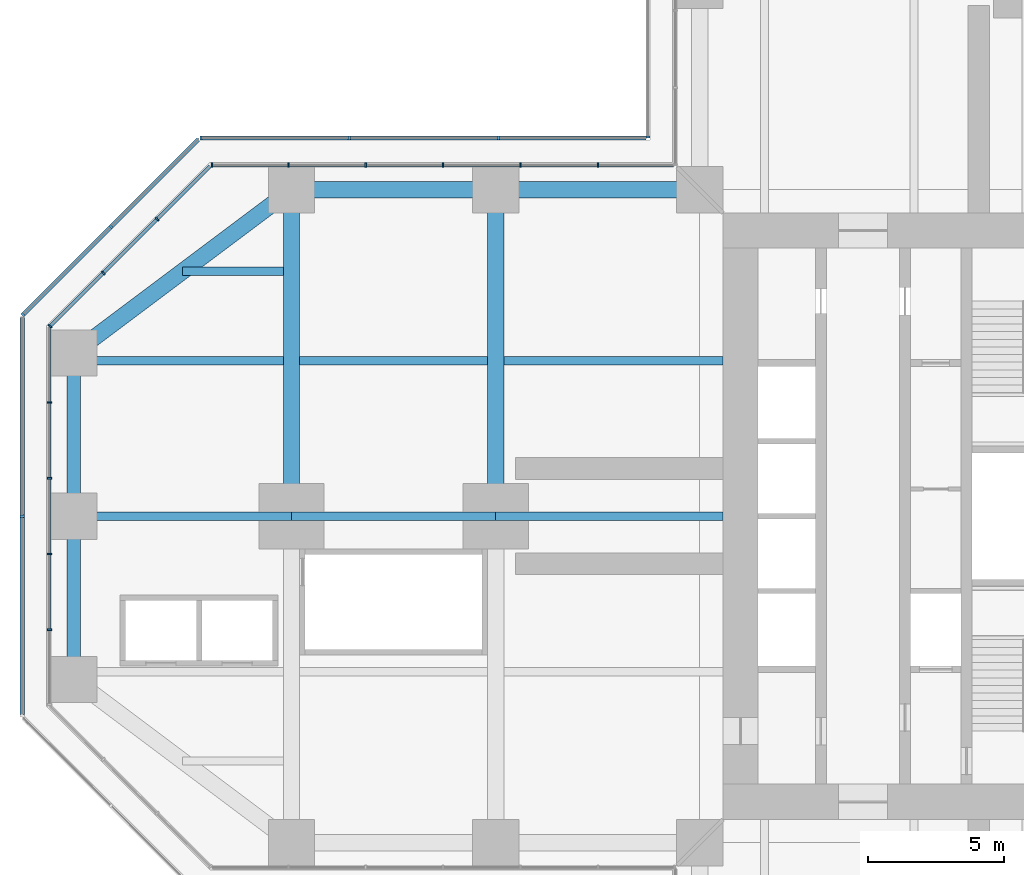
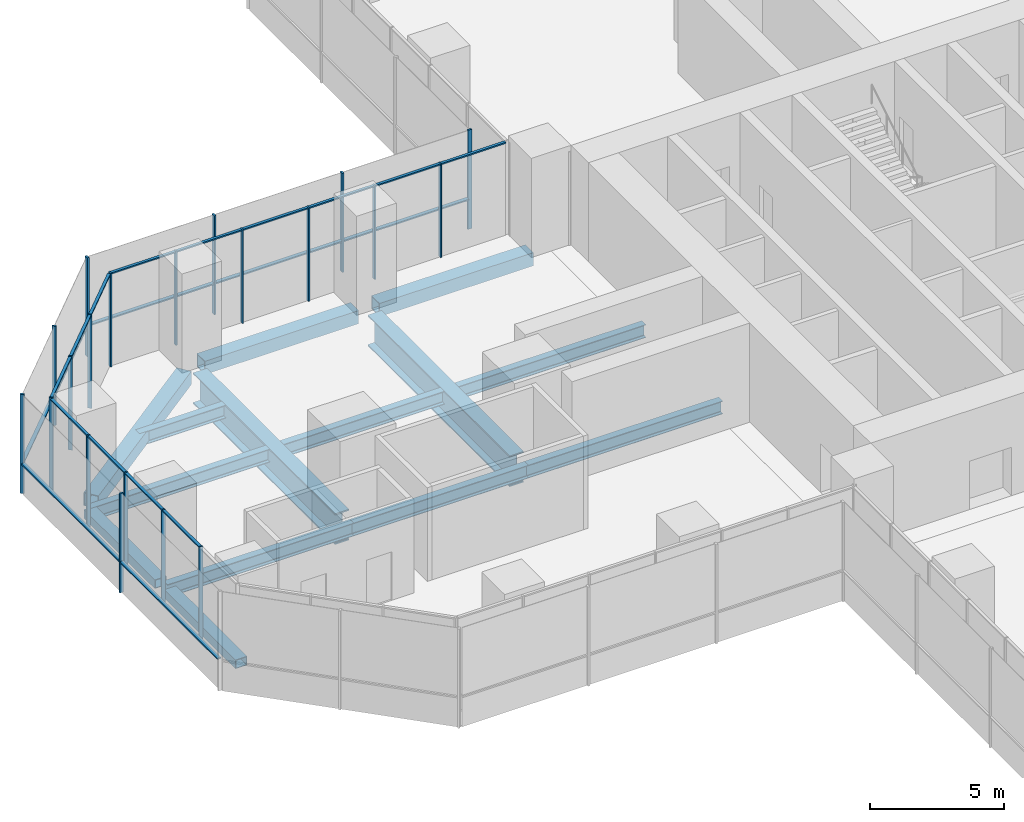
# One storey, part 7 of 21: 40 members, 14 beams, 7 elements without a shape of their own.
"""IFC4 building model written with IfcOpenShell, lengths in metres."""

from ifc_helpers import new_model, si_unit, direction, frame, origin, origin_2d, place, context, subcontext, project, spatial, rectangle, hollow_rectangle, i_section, extrude, material, material_profile, profile_set, type_object, element, aggregate, save


model = new_model("IFC4")

# Units and contexts
model_context = context("Model", 3, precision=1e-05, world=origin(), true_north=direction((0.0, 1.0)))
body_context = subcontext(model_context, "Body", "Model", "MODEL_VIEW")
ifc_project = project(units=[si_unit("LENGTHUNIT", "METRE"), si_unit("AREAUNIT", "SQUARE_METRE"), si_unit("VOLUMEUNIT", "CUBIC_METRE"), si_unit("PLANEANGLEUNIT", "RADIAN"), si_unit("MASSUNIT", "GRAM", prefix="KILO")], contexts=[model_context])

# Site, building, storey
site_placement = place(None, origin())
site = spatial("IfcSite", under=ifc_project, at=site_placement, CompositionType="ELEMENT")
building_placement = place(site_placement, origin())
building = spatial("IfcBuilding", under=site, at=building_placement, Name="Mizan Broadcast Tower", CompositionType="ELEMENT")
storey_placement = place(building_placement, frame((0.0, 0.0, 33.0)))
storey = spatial("IfcBuildingStorey", under=building, at=storey_placement, Name="L05", CompositionType="ELEMENT", Elevation=33.0)

# Beams
ifc_material_1 = material(Name="Steel S355", Category="steel")
ifc_material_profile_1 = material_profile(ifc_material_1, hollow_rectangle(XDim=0.5, YDim=0.39990234375, WallThickness=0.02490234375, at=origin_2d()), Name="BOX 400x500x25")
ifc_profile_set_1 = profile_set([ifc_material_profile_1], Name="Steel S355")
beam_type_1 = type_object("IfcBeamType", Name="EDGE BEAM BOX 400x500x25", PredefinedType="SPANDREL", material=ifc_profile_set_1)
for number, where, z_axis, x_axis, name in (
    (1, (-35.0, 5.639892578125, -0.449951171875), (0.0, -1.0, 0.0), (1.0, 0.0, 0.0), "Edge beam BOX 400x500x25 L05 west arm"),
    (2, (-35.0, -5.639892578125, -0.449951171875), (0.0, 1.0, 0.0), (-1.0, 0.0, 0.0), "Edge beam BOX 400x500x25 L05 west arm"),
):
    element("IfcBeam", number, at=place(storey_placement, frame(where, z_axis=z_axis, x_axis=x_axis)), inside=storey, type_object=beam_type_1, Name=name, PredefinedType="SPANDREL", context=body_context, shape_type="SweptSolid", body=[
        extrude(hollow_rectangle(XDim=0.5, YDim=0.39990234375, WallThickness=0.02490234375, at=origin_2d()), origin(), (0.0, 0.0, 1.0), 5.27978515625),
    ])
ifc_material_2 = material(Name="Steel S355", Category="steel")
ifc_material_profile_2 = material_profile(ifc_material_2, hollow_rectangle(XDim=0.60009765625, YDim=0.60009765625, WallThickness=0.030029296875, at=origin_2d()), Name="BOX 600x600x30")
ifc_profile_set_2 = profile_set([ifc_material_profile_2], Name="Steel S355")
beam_type_2 = type_object("IfcBeamType", Name="EDGE BEAM BOX 600x600x30", PredefinedType="SPANDREL", material=ifc_profile_set_2)
beam_1_placement = place(storey_placement, frame((-27.47998046875, 11.639892578125, -0.550048828125), z_axis=(-0.800013316712, -0.599982243973, 0.0), x_axis=(0.599982243973, -0.800013316712, 0.0)))
element("IfcBeam", 3, at=beam_1_placement, inside=storey, type_object=beam_type_2, Name="Edge beam BOX 600x600x30 L05 west arm", PredefinedType="SPANDREL", context=body_context, shape_type="SweptSolid", body=[
    extrude(hollow_rectangle(XDim=0.60009765625, YDim=0.60009765625, WallThickness=0.030029296875, at=origin_2d()), origin(), (0.0, 0.0, 1.0), 8.7998046875),
])
ifc_material_3 = material(Name="Steel S355", Category="steel")
ifc_material_profile_3 = material_profile(ifc_material_3, hollow_rectangle(XDim=0.60009765625, YDim=0.60009765625, WallThickness=0.0400390625, at=origin_2d()), Name="BOX 600x600x40")
ifc_profile_set_3 = profile_set([ifc_material_profile_3], Name="Steel S355")
beam_type_3 = type_object("IfcBeamType", Name="EDGE BEAM BOX 600x600x40", PredefinedType="SPANDREL", material=ifc_profile_set_3)
for number, where, z_axis, x_axis, name in (
    (4, (-12.449951171875, 12.0, -0.550048828125), (-1.0, 0.0, 0.0), (0.0, -1.0, 0.0), "Edge beam BOX 600x600x40 L05 west arm"),
    (5, (-19.949951171875, 12.0, -0.550048828125), (-1.0, 0.0, 0.0), (0.0, -1.0, 0.0), "Edge beam BOX 600x600x40 L05 west arm"),
):
    element("IfcBeam", number, at=place(storey_placement, frame(where, z_axis=z_axis, x_axis=x_axis)), inside=storey, type_object=beam_type_3, Name=name, PredefinedType="SPANDREL", context=body_context, shape_type="SweptSolid", body=[
        extrude(hollow_rectangle(XDim=0.60009765625, YDim=0.60009765625, WallThickness=0.0400390625, at=origin_2d()), origin(), (0.0, 0.0, 1.0), 6.60009765625),
    ])
ifc_material_4 = material(Name="Steel S460", Category="steel")
ifc_material_profile_4 = material_profile(ifc_material_4, i_section(OverallWidth=0.60009765625, OverallDepth=1.39990234375, WebThickness=0.02490234375, FlangeThickness=0.06005859375, at=origin_2d()), Name="WPG 1400x600")
ifc_profile_set_4 = profile_set([ifc_material_profile_4], Name="Steel S460")
beam_type_4 = type_object("IfcBeamType", Name="GIRDER WPG 1400x600", PredefinedType="BEAM", material=ifc_profile_set_4)
for number, where, z_axis, x_axis, name in (
    (6, (-19.5, 11.280029296875, -0.949951171875), (0.0, -1.0, 0.0), (1.0, 0.0, 0.0), "Girder WPG 1400x600 L05 west arm"),
    (7, (-27.0, 11.280029296875, -0.949951171875), (0.0, -1.0, 0.0), (1.0, 0.0, 0.0), "Girder WPG 1400x600 L05 west arm"),
):
    element("IfcBeam", number, at=place(storey_placement, frame(where, z_axis=z_axis, x_axis=x_axis)), inside=storey, type_object=beam_type_4, Name=name, PredefinedType="BEAM", context=body_context, shape_type="SweptSolid", body=[
        extrude(i_section(OverallWidth=0.60009765625, OverallDepth=1.39990234375, WebThickness=0.02490234375, FlangeThickness=0.06005859375, at=origin_2d()), origin(), (0.0, 0.0, 1.0), 10.56005859375),
    ])

# Curtain wall, members
ifc_material_5 = material(Name="Aluminium framed glazing", Category="aluminium")
curtain_wall_type_1 = type_object("IfcCurtainWallType", Name="PODIUM CURTAIN WALL", PredefinedType="USERDEFINED", material=ifc_material_5)
curtain_wall_1_placement = place(storey_placement, origin())
curtain_wall_1 = element("IfcCurtainWall", 8, at=curtain_wall_1_placement, inside=storey, type_object=curtain_wall_type_1, Name="Podium curtain wall L05 W side", ObjectType="PODIUM CURTAIN WALL", PredefinedType="USERDEFINED")
ifc_material_6 = material(Name="Aluminium, pale anodised", Category="aluminium")
ifc_material_profile_5 = material_profile(ifc_material_6, rectangle(XDim=0.159912109375, YDim=0.06005859375, at=origin_2d()), Name="MULLION 160x60")
ifc_profile_set_5 = profile_set([ifc_material_profile_5], Name="Aluminium, pale anodised")
member_type_1 = type_object("IfcMemberType", Name="INNER SKIN MULLION 60x160", PredefinedType="MULLION", material=ifc_profile_set_5)
member_1_placement = place(storey_placement, frame((-15.7431640625, 12.89990234375, 0.0), z_axis=(0.0, 0.0, 1.0), x_axis=(0.0, -1.0, 0.0)))
member_1 = element("IfcMember", 9, at=member_1_placement, type_object=member_type_1, Name="Podium curtain wall L05 W side mullion 2", PredefinedType="MULLION", context=body_context, shape_type="SweptSolid", body=[
    extrude(rectangle(XDim=0.159912109375, YDim=0.06005859375, at=origin_2d()), origin(), (0.0, 0.0, 1.0), 4.25),
])
member_2_placement = place(storey_placement, frame((-18.586181640625, 12.89990234375, 0.0), z_axis=(0.0, 0.0, 1.0), x_axis=(0.0, -1.0, 0.0)))
member_2 = element("IfcMember", 10, at=member_2_placement, type_object=member_type_1, Name="Podium curtain wall L05 W side mullion 3", PredefinedType="MULLION", context=body_context, shape_type="SweptSolid", body=[
    extrude(rectangle(XDim=0.159912109375, YDim=0.06005859375, at=origin_2d()), origin(), (0.0, 0.0, 1.0), 4.25),
])
member_3_placement = place(storey_placement, frame((-21.42919921875, 12.89990234375, 0.0), z_axis=(0.0, 0.0, 1.0), x_axis=(0.0, -1.0, 0.0)))
member_3 = element("IfcMember", 11, at=member_3_placement, type_object=member_type_1, Name="Podium curtain wall L05 W side mullion 4", PredefinedType="MULLION", context=body_context, shape_type="SweptSolid", body=[
    extrude(rectangle(XDim=0.159912109375, YDim=0.06005859375, at=origin_2d()), origin(), (0.0, 0.0, 1.0), 4.25),
])
member_4_placement = place(storey_placement, frame((-24.2724609375, 12.89990234375, 0.0), z_axis=(0.0, 0.0, 1.0), x_axis=(0.0, -1.0, 0.0)))
member_4 = element("IfcMember", 12, at=member_4_placement, type_object=member_type_1, Name="Podium curtain wall L05 W side mullion 5", PredefinedType="MULLION", context=body_context, shape_type="SweptSolid", body=[
    extrude(rectangle(XDim=0.159912109375, YDim=0.06005859375, at=origin_2d()), origin(), (0.0, 0.0, 1.0), 4.25),
])
member_5_placement = place(storey_placement, frame((-27.115478515625, 12.89990234375, 0.0), z_axis=(0.0, 0.0, 1.0), x_axis=(0.0, -1.0, 0.0)))
member_5 = element("IfcMember", 13, at=member_5_placement, type_object=member_type_1, Name="Podium curtain wall L05 W side mullion 6", PredefinedType="MULLION", context=body_context, shape_type="SweptSolid", body=[
    extrude(rectangle(XDim=0.159912109375, YDim=0.06005859375, at=origin_2d()), origin(), (0.0, 0.0, 1.0), 4.25),
])
member_6_placement = place(storey_placement, frame((-29.928466796875, 12.89990234375, 0.0), z_axis=(0.0, 0.0, 1.0), x_axis=(0.0, -1.0, 0.0)))
member_6 = element("IfcMember", 14, at=member_6_placement, type_object=member_type_1, Name="Podium curtain wall L05 W side mullion 7", PredefinedType="MULLION", context=body_context, shape_type="SweptSolid", body=[
    extrude(rectangle(XDim=0.159912109375, YDim=0.06005859375, at=origin_2d()), origin(), (0.0, 0.0, 1.0), 4.25),
])

curtain_wall_2_placement = place(storey_placement, origin())
curtain_wall_2 = element("IfcCurtainWall", 15, at=curtain_wall_2_placement, inside=storey, type_object=curtain_wall_type_1, Name="Podium curtain wall L05 W chamfer", ObjectType="PODIUM CURTAIN WALL", PredefinedType="USERDEFINED")
member_7_placement = place(storey_placement, frame((-31.93896484375, 10.91943359375, 0.0), z_axis=(0.0, 0.0, 1.0), x_axis=(0.707106781187, -0.707106781187, 0.0)))
member_7 = element("IfcMember", 16, at=member_7_placement, type_object=member_type_1, Name="Podium curtain wall L05 W chamfer mullion 2", PredefinedType="MULLION", context=body_context, shape_type="SweptSolid", body=[
    extrude(rectangle(XDim=0.159912109375, YDim=0.06005859375, at=origin_2d()), origin(), (0.0, 0.0, 1.0), 4.25),
])
member_8_placement = place(storey_placement, frame((-33.91943359375, 8.93896484375, 0.0), z_axis=(0.0, 0.0, 1.0), x_axis=(0.707106781187, -0.707106781187, 0.0)))
member_8 = element("IfcMember", 17, at=member_8_placement, type_object=member_type_1, Name="Podium curtain wall L05 W chamfer mullion 3", PredefinedType="MULLION", context=body_context, shape_type="SweptSolid", body=[
    extrude(rectangle(XDim=0.159912109375, YDim=0.06005859375, at=origin_2d()), origin(), (0.0, 0.0, 1.0), 4.25),
])
member_9_placement = place(storey_placement, frame((-35.87890625, 6.979736328125, 0.0), z_axis=(0.0, 0.0, 1.0), x_axis=(0.707106781187, -0.707106781187, 0.0)))
member_9 = element("IfcMember", 18, at=member_9_placement, type_object=member_type_1, Name="Podium curtain wall L05 W chamfer mullion 4", PredefinedType="MULLION", context=body_context, shape_type="SweptSolid", body=[
    extrude(rectangle(XDim=0.159912109375, YDim=0.06005859375, at=origin_2d()), origin(), (0.0, 0.0, 1.0), 4.25),
])

curtain_wall_3_placement = place(storey_placement, origin())
curtain_wall_3 = element("IfcCurtainWall", 19, at=curtain_wall_3_placement, inside=storey, type_object=curtain_wall_type_1, Name="Podium curtain wall L05 W end", ObjectType="PODIUM CURTAIN WALL", PredefinedType="USERDEFINED")
member_10_placement = place(storey_placement, frame((-35.89990234375, 4.175048828125, 0.0), z_axis=(0.0, 0.0, 1.0), x_axis=(1.0, 0.0, 0.0)))
member_10 = element("IfcMember", 20, at=member_10_placement, type_object=member_type_1, Name="Podium curtain wall L05 W end mullion 2", PredefinedType="MULLION", context=body_context, shape_type="SweptSolid", body=[
    extrude(rectangle(XDim=0.159912109375, YDim=0.06005859375, at=origin_2d()), origin(), (0.0, 0.0, 1.0), 4.25),
])
member_11_placement = place(storey_placement, frame((-35.89990234375, 1.3916015625, 0.0), z_axis=(0.0, 0.0, 1.0), x_axis=(1.0, 0.0, 0.0)))
member_11 = element("IfcMember", 21, at=member_11_placement, type_object=member_type_1, Name="Podium curtain wall L05 W end mullion 3", PredefinedType="MULLION", context=body_context, shape_type="SweptSolid", body=[
    extrude(rectangle(XDim=0.159912109375, YDim=0.06005859375, at=origin_2d()), origin(), (0.0, 0.0, 1.0), 4.25),
])
member_12_placement = place(storey_placement, frame((-35.89990234375, -1.3916015625, 0.0), z_axis=(0.0, 0.0, 1.0), x_axis=(1.0, 0.0, 0.0)))
member_12 = element("IfcMember", 22, at=member_12_placement, type_object=member_type_1, Name="Podium curtain wall L05 W end mullion 4", PredefinedType="MULLION", context=body_context, shape_type="SweptSolid", body=[
    extrude(rectangle(XDim=0.159912109375, YDim=0.06005859375, at=origin_2d()), origin(), (0.0, 0.0, 1.0), 4.25),
])
member_13_placement = place(storey_placement, frame((-35.89990234375, -4.175048828125, 0.0), z_axis=(0.0, 0.0, 1.0), x_axis=(1.0, 0.0, 0.0)))
member_13 = element("IfcMember", 23, at=member_13_placement, type_object=member_type_1, Name="Podium curtain wall L05 W end mullion 5", PredefinedType="MULLION", context=body_context, shape_type="SweptSolid", body=[
    extrude(rectangle(XDim=0.159912109375, YDim=0.06005859375, at=origin_2d()), origin(), (0.0, 0.0, 1.0), 4.25),
])

# Member
ifc_material_7 = material(Name="Aluminium, pale anodised", Category="aluminium")
ifc_material_profile_6 = material_profile(ifc_material_7, rectangle(XDim=0.1201171875, YDim=0.06005859375, at=origin_2d()), Name="TRANSOM 120x60")
ifc_profile_set_6 = profile_set([ifc_material_profile_6], Name="Aluminium, pale anodised")
member_type_2 = type_object("IfcMemberType", Name="INNER SKIN TRANSOM 60x120", PredefinedType="USERDEFINED", material=ifc_profile_set_6)
member_14_placement = place(storey_placement, frame((-12.9599609375, 12.89990234375, 4.219970703125), z_axis=(-1.0, 0.0, 0.0), x_axis=(0.0, -1.0, 0.0)))
member_14 = element("IfcMember", 24, at=member_14_placement, type_object=member_type_2, Name="Podium curtain wall L05 W side transom 1.1", ObjectType="TRANSOM", PredefinedType="USERDEFINED", context=body_context, shape_type="SweptSolid", body=[
    extrude(rectangle(XDim=0.1201171875, YDim=0.06005859375, at=origin_2d()), origin(), (0.0, 0.0, 1.0), 2.753173828125),
])

member_15_placement = place(storey_placement, frame((-15.773193359375, 12.89990234375, 4.219970703125), z_axis=(-1.0, 0.0, 0.0), x_axis=(0.0, -1.0, 0.0)))
member_15 = element("IfcMember", 25, at=member_15_placement, type_object=member_type_2, Name="Podium curtain wall L05 W side transom 2.1", ObjectType="TRANSOM", PredefinedType="USERDEFINED", context=body_context, shape_type="SweptSolid", body=[
    extrude(rectangle(XDim=0.1201171875, YDim=0.06005859375, at=origin_2d()), origin(), (0.0, 0.0, 1.0), 2.782958984375),
])

member_16_placement = place(storey_placement, frame((-18.6162109375, 12.89990234375, 4.219970703125), z_axis=(-1.0, 0.0, 0.0), x_axis=(0.0, -1.0, 0.0)))
member_16 = element("IfcMember", 26, at=member_16_placement, type_object=member_type_2, Name="Podium curtain wall L05 W side transom 3.1", ObjectType="TRANSOM", PredefinedType="USERDEFINED", context=body_context, shape_type="SweptSolid", body=[
    extrude(rectangle(XDim=0.1201171875, YDim=0.06005859375, at=origin_2d()), origin(), (0.0, 0.0, 1.0), 2.782958984375),
])

member_17_placement = place(storey_placement, frame((-21.459228515625, 12.89990234375, 4.219970703125), z_axis=(-1.0, 0.0, 0.0), x_axis=(0.0, -1.0, 0.0)))
member_17 = element("IfcMember", 27, at=member_17_placement, type_object=member_type_2, Name="Podium curtain wall L05 W side transom 4.1", ObjectType="TRANSOM", PredefinedType="USERDEFINED", context=body_context, shape_type="SweptSolid", body=[
    extrude(rectangle(XDim=0.1201171875, YDim=0.06005859375, at=origin_2d()), origin(), (0.0, 0.0, 1.0), 2.783203125),
])

member_18_placement = place(storey_placement, frame((-24.302490234375, 12.89990234375, 4.219970703125), z_axis=(-1.0, 0.0, 0.0), x_axis=(0.0, -1.0, 0.0)))
member_18 = element("IfcMember", 28, at=member_18_placement, type_object=member_type_2, Name="Podium curtain wall L05 W side transom 5.1", ObjectType="TRANSOM", PredefinedType="USERDEFINED", context=body_context, shape_type="SweptSolid", body=[
    extrude(rectangle(XDim=0.1201171875, YDim=0.06005859375, at=origin_2d()), origin(), (0.0, 0.0, 1.0), 2.782958984375),
])

member_19_placement = place(storey_placement, frame((-27.1455078125, 12.89990234375, 4.219970703125), z_axis=(-1.0, 0.0, 0.0), x_axis=(0.0, -1.0, 0.0)))
member_19 = element("IfcMember", 29, at=member_19_placement, type_object=member_type_2, Name="Podium curtain wall L05 W side transom 6.1", ObjectType="TRANSOM", PredefinedType="USERDEFINED", context=body_context, shape_type="SweptSolid", body=[
    extrude(rectangle(XDim=0.1201171875, YDim=0.06005859375, at=origin_2d()), origin(), (0.0, 0.0, 1.0), 2.753173828125),
])

aggregate(curtain_wall_1, [member_1, member_2, member_3, member_4, member_5, member_6, member_14, member_15, member_16, member_17, member_18, member_19])

member_20_placement = place(storey_placement, frame((-30.0009765625, 12.857666015625, 4.219970703125), z_axis=(-0.707061749709, -0.707151809797, 0.0), x_axis=(0.707151809797, -0.707061749709, 0.0)))
member_20 = element("IfcMember", 30, at=member_20_placement, type_object=member_type_2, Name="Podium curtain wall L05 W chamfer transom 1.1", ObjectType="TRANSOM", PredefinedType="USERDEFINED", context=body_context, shape_type="SweptSolid", body=[
    extrude(rectangle(XDim=0.1201171875, YDim=0.06005859375, at=origin_2d()), origin(), (0.0, 0.0, 1.0), 2.7109375),
])

member_21_placement = place(storey_placement, frame((-31.960205078125, 10.898193359375, 4.219970703125), z_axis=(-0.707106781187, -0.707106781187, 0.0), x_axis=(0.707106781187, -0.707106781187, 0.0)))
member_21 = element("IfcMember", 31, at=member_21_placement, type_object=member_type_2, Name="Podium curtain wall L05 W chamfer transom 2.1", ObjectType="TRANSOM", PredefinedType="USERDEFINED", context=body_context, shape_type="SweptSolid", body=[
    extrude(rectangle(XDim=0.1201171875, YDim=0.06005859375, at=origin_2d()), origin(), (0.0, 0.0, 1.0), 2.74072265625),
])

member_22_placement = place(storey_placement, frame((-33.940673828125, 8.917724609375, 4.219970703125), z_axis=(-0.707151809797, -0.707061749709, 0.0), x_axis=(0.707061749709, -0.707151809797, 0.0)))
member_22 = element("IfcMember", 32, at=member_22_placement, type_object=member_type_2, Name="Podium curtain wall L05 W chamfer transom 3.1", ObjectType="TRANSOM", PredefinedType="USERDEFINED", context=body_context, shape_type="SweptSolid", body=[
    extrude(rectangle(XDim=0.1201171875, YDim=0.06005859375, at=origin_2d()), origin(), (0.0, 0.0, 1.0), 2.7109375),
])

aggregate(curtain_wall_2, [member_7, member_8, member_9, member_20, member_21, member_22])

member_23_placement = place(storey_placement, frame((-35.89990234375, 6.898681640625, 4.219970703125), z_axis=(0.0, -1.0, 0.0), x_axis=(1.0, 0.0, 0.0)))
member_23 = element("IfcMember", 33, at=member_23_placement, type_object=member_type_2, Name="Podium curtain wall L05 W end transom 1.1", ObjectType="TRANSOM", PredefinedType="USERDEFINED", context=body_context, shape_type="SweptSolid", body=[
    extrude(rectangle(XDim=0.1201171875, YDim=0.06005859375, at=origin_2d()), origin(), (0.0, 0.0, 1.0), 2.693603515625),
])

member_24_placement = place(storey_placement, frame((-35.89990234375, 4.145263671875, 4.219970703125), z_axis=(0.0, -1.0, 0.0), x_axis=(1.0, 0.0, 0.0)))
member_24 = element("IfcMember", 34, at=member_24_placement, type_object=member_type_2, Name="Podium curtain wall L05 W end transom 2.1", ObjectType="TRANSOM", PredefinedType="USERDEFINED", context=body_context, shape_type="SweptSolid", body=[
    extrude(rectangle(XDim=0.1201171875, YDim=0.06005859375, at=origin_2d()), origin(), (0.0, 0.0, 1.0), 2.7236328125),
])

member_25_placement = place(storey_placement, frame((-35.89990234375, 1.36181640625, 4.219970703125), z_axis=(0.0, -1.0, 0.0), x_axis=(1.0, 0.0, 0.0)))
member_25 = element("IfcMember", 35, at=member_25_placement, type_object=member_type_2, Name="Podium curtain wall L05 W end transom 3.1", ObjectType="TRANSOM", PredefinedType="USERDEFINED", context=body_context, shape_type="SweptSolid", body=[
    extrude(rectangle(XDim=0.1201171875, YDim=0.06005859375, at=origin_2d()), origin(), (0.0, 0.0, 1.0), 2.7236328125),
])

member_26_placement = place(storey_placement, frame((-35.89990234375, -1.421630859375, 4.219970703125), z_axis=(0.0, -1.0, 0.0), x_axis=(1.0, 0.0, 0.0)))
member_26 = element("IfcMember", 36, at=member_26_placement, type_object=member_type_2, Name="Podium curtain wall L05 W end transom 4.1", ObjectType="TRANSOM", PredefinedType="USERDEFINED", context=body_context, shape_type="SweptSolid", body=[
    extrude(rectangle(XDim=0.1201171875, YDim=0.06005859375, at=origin_2d()), origin(), (0.0, 0.0, 1.0), 2.7236328125),
])

aggregate(curtain_wall_3, [member_10, member_11, member_12, member_13, member_23, member_24, member_25, member_26])

# Curtain wall, member
ifc_material_8 = material(Name="Aluminium framed glazing", Category="aluminium")
curtain_wall_type_2 = type_object("IfcCurtainWallType", Name="OUTER SKIN", PredefinedType="USERDEFINED", material=ifc_material_8)
curtain_wall_4_placement = place(storey_placement, origin())
curtain_wall_4 = element("IfcCurtainWall", 37, at=curtain_wall_4_placement, inside=storey, type_object=curtain_wall_type_2, Name="Outer skin L05 N side", ObjectType="OUTER SKIN", PredefinedType="USERDEFINED")
ifc_material_9 = material(Name="Aluminium, pale anodised", Category="aluminium")
ifc_material_profile_7 = material_profile(ifc_material_9, rectangle(XDim=0.159912109375, YDim=0.080078125, at=origin_2d()), Name="MULLION 160x80")
ifc_profile_set_7 = profile_set([ifc_material_profile_7], Name="Aluminium, pale anodised")
member_type_3 = type_object("IfcMemberType", Name="OUTER SKIN MULLION 80x160", PredefinedType="MULLION", material=ifc_profile_set_7)
member_27_placement = place(storey_placement, frame((-13.89990234375, 13.93994140625, 0.0), z_axis=(0.0, 0.0, 1.0), x_axis=(1.0, 0.0, 0.0)))
member_27 = element("IfcMember", 38, at=member_27_placement, type_object=member_type_3, Name="Outer skin L05 N side mullion 4", PredefinedType="MULLION", context=body_context, shape_type="SweptSolid", body=[
    extrude(rectangle(XDim=0.159912109375, YDim=0.080078125, at=origin_2d()), origin(), (0.0, 0.0, 1.0), 4.5),
])
aggregate(curtain_wall_4, [member_27])

# Curtain wall, members
curtain_wall_5_placement = place(storey_placement, origin())
curtain_wall_5 = element("IfcCurtainWall", 39, at=curtain_wall_5_placement, inside=storey, type_object=curtain_wall_type_2, Name="Outer skin L05 W side", ObjectType="OUTER SKIN", PredefinedType="USERDEFINED")
member_28_placement = place(storey_placement, frame((-19.390869140625, 13.89990234375, 0.0), z_axis=(0.0, 0.0, 1.0), x_axis=(0.0, -1.0, 0.0)))
member_28 = element("IfcMember", 40, at=member_28_placement, type_object=member_type_3, Name="Outer skin L05 W side mullion 2", PredefinedType="MULLION", context=body_context, shape_type="SweptSolid", body=[
    extrude(rectangle(XDim=0.159912109375, YDim=0.080078125, at=origin_2d()), origin(), (0.0, 0.0, 1.0), 4.5),
])
member_29_placement = place(storey_placement, frame((-24.8818359375, 13.89990234375, 0.0), z_axis=(0.0, 0.0, 1.0), x_axis=(0.0, -1.0, 0.0)))
member_29 = element("IfcMember", 41, at=member_29_placement, type_object=member_type_3, Name="Outer skin L05 W side mullion 3", PredefinedType="MULLION", context=body_context, shape_type="SweptSolid", body=[
    extrude(rectangle(XDim=0.159912109375, YDim=0.080078125, at=origin_2d()), origin(), (0.0, 0.0, 1.0), 4.5),
])
member_30_placement = place(storey_placement, frame((-30.332763671875, 13.89990234375, 0.0), z_axis=(0.0, 0.0, 1.0), x_axis=(0.0, -1.0, 0.0)))
member_30 = element("IfcMember", 42, at=member_30_placement, type_object=member_type_3, Name="Outer skin L05 W side mullion 4", PredefinedType="MULLION", context=body_context, shape_type="SweptSolid", body=[
    extrude(rectangle(XDim=0.159912109375, YDim=0.080078125, at=origin_2d()), origin(), (0.0, 0.0, 1.0), 4.5),
])

curtain_wall_6_placement = place(storey_placement, origin())
curtain_wall_6 = element("IfcCurtainWall", 43, at=curtain_wall_6_placement, inside=storey, type_object=curtain_wall_type_2, Name="Outer skin L05 W chamfer", ObjectType="OUTER SKIN", PredefinedType="USERDEFINED")
member_31_placement = place(storey_placement, frame((-33.636474609375, 10.636474609375, 0.0), z_axis=(0.0, 0.0, 1.0), x_axis=(0.707106781187, -0.707106781187, 0.0)))
member_31 = element("IfcMember", 44, at=member_31_placement, type_object=member_type_3, Name="Outer skin L05 W chamfer mullion 2", PredefinedType="MULLION", context=body_context, shape_type="SweptSolid", body=[
    extrude(rectangle(XDim=0.159912109375, YDim=0.080078125, at=origin_2d()), origin(), (0.0, 0.0, 1.0), 4.5),
])
member_32_placement = place(storey_placement, frame((-36.871826171875, 7.401123046875, 0.0), z_axis=(0.0, 0.0, 1.0), x_axis=(0.707106781187, -0.707106781187, 0.0)))
member_32 = element("IfcMember", 45, at=member_32_placement, type_object=member_type_3, Name="Outer skin L05 W chamfer mullion 3", PredefinedType="MULLION", context=body_context, shape_type="SweptSolid", body=[
    extrude(rectangle(XDim=0.159912109375, YDim=0.080078125, at=origin_2d()), origin(), (0.0, 0.0, 1.0), 4.5),
])

# Curtain wall, member
curtain_wall_7_placement = place(storey_placement, origin())
curtain_wall_7 = element("IfcCurtainWall", 46, at=curtain_wall_7_placement, inside=storey, type_object=curtain_wall_type_2, Name="Outer skin L05 W end", ObjectType="OUTER SKIN", PredefinedType="USERDEFINED")
member_33_placement = place(storey_placement, frame((-36.89990234375, 0.0, 0.0), z_axis=(0.0, 0.0, 1.0), x_axis=(1.0, 0.0, 0.0)))
member_33 = element("IfcMember", 47, at=member_33_placement, type_object=member_type_3, Name="Outer skin L05 W end mullion 2", PredefinedType="MULLION", context=body_context, shape_type="SweptSolid", body=[
    extrude(rectangle(XDim=0.159912109375, YDim=0.080078125, at=origin_2d()), origin(), (0.0, 0.0, 1.0), 4.5),
])

# Member
ifc_material_10 = material(Name="Aluminium, pale anodised", Category="aluminium")
ifc_material_profile_8 = material_profile(ifc_material_10, rectangle(XDim=0.159912109375, YDim=0.06005859375, at=origin_2d()), Name="TRANSOM 160x60")
ifc_profile_set_8 = profile_set([ifc_material_profile_8], Name="Aluminium, pale anodised")
member_type_4 = type_object("IfcMemberType", Name="OUTER SKIN TRANSOM 60x160", PredefinedType="USERDEFINED", material=ifc_profile_set_8)
member_34_placement = place(storey_placement, frame((-13.97998046875, 13.89990234375, 1.39990234375), z_axis=(-1.0, 0.0, 0.0), x_axis=(0.0, -1.0, 0.0)))
member_34 = element("IfcMember", 48, at=member_34_placement, type_object=member_type_4, Name="Outer skin L05 W side transom 1.1", ObjectType="TRANSOM", PredefinedType="USERDEFINED", context=body_context, shape_type="SweptSolid", body=[
    extrude(rectangle(XDim=0.159912109375, YDim=0.06005859375, at=origin_2d()), origin(), (0.0, 0.0, 1.0), 5.370849609375),
])

member_35_placement = place(storey_placement, frame((-19.430908203125, 13.89990234375, 1.39990234375), z_axis=(-1.0, 0.0, 0.0), x_axis=(0.0, -1.0, 0.0)))
member_35 = element("IfcMember", 49, at=member_35_placement, type_object=member_type_4, Name="Outer skin L05 W side transom 2.1", ObjectType="TRANSOM", PredefinedType="USERDEFINED", context=body_context, shape_type="SweptSolid", body=[
    extrude(rectangle(XDim=0.159912109375, YDim=0.06005859375, at=origin_2d()), origin(), (0.0, 0.0, 1.0), 5.410888671875),
])

member_36_placement = place(storey_placement, frame((-24.921875, 13.89990234375, 1.39990234375), z_axis=(-1.0, 0.0, 0.0), x_axis=(0.0, -1.0, 0.0)))
member_36 = element("IfcMember", 50, at=member_36_placement, type_object=member_type_4, Name="Outer skin L05 W side transom 3.1", ObjectType="TRANSOM", PredefinedType="USERDEFINED", context=body_context, shape_type="SweptSolid", body=[
    extrude(rectangle(XDim=0.159912109375, YDim=0.06005859375, at=origin_2d()), origin(), (0.0, 0.0, 1.0), 5.370849609375),
])

aggregate(curtain_wall_5, [member_28, member_29, member_30, member_34, member_35, member_36])

member_37_placement = place(storey_placement, frame((-30.429443359375, 13.843505859375, 1.39990234375), z_axis=(-0.707106781187, -0.707106781187, 0.0), x_axis=(0.707106781187, -0.707106781187, 0.0)))
member_37 = element("IfcMember", 51, at=member_37_placement, type_object=member_type_4, Name="Outer skin L05 W chamfer transom 1.1", ObjectType="TRANSOM", PredefinedType="USERDEFINED", context=body_context, shape_type="SweptSolid", body=[
    extrude(rectangle(XDim=0.159912109375, YDim=0.06005859375, at=origin_2d()), origin(), (0.0, 0.0, 1.0), 4.495361328125),
])

member_38_placement = place(storey_placement, frame((-33.664794921875, 10.608154296875, 1.39990234375), z_axis=(-0.707106781187, -0.707106781187, 0.0), x_axis=(0.707106781187, -0.707106781187, 0.0)))
member_38 = element("IfcMember", 52, at=member_38_placement, type_object=member_type_4, Name="Outer skin L05 W chamfer transom 2.1", ObjectType="TRANSOM", PredefinedType="USERDEFINED", context=body_context, shape_type="SweptSolid", body=[
    extrude(rectangle(XDim=0.159912109375, YDim=0.06005859375, at=origin_2d()), origin(), (0.0, 0.0, 1.0), 4.495361328125),
])

aggregate(curtain_wall_6, [member_31, member_32, member_37, member_38])

member_39_placement = place(storey_placement, frame((-36.89990234375, 7.292724609375, 1.39990234375), z_axis=(0.0, -1.0, 0.0), x_axis=(1.0, 0.0, 0.0)))
member_39 = element("IfcMember", 53, at=member_39_placement, type_object=member_type_4, Name="Outer skin L05 W end transom 1.1", ObjectType="TRANSOM", PredefinedType="USERDEFINED", context=body_context, shape_type="SweptSolid", body=[
    extrude(rectangle(XDim=0.159912109375, YDim=0.06005859375, at=origin_2d()), origin(), (0.0, 0.0, 1.0), 7.252685546875),
])

member_40_placement = place(storey_placement, frame((-36.89990234375, -0.0400390625, 1.39990234375), z_axis=(0.0, -1.0, 0.0), x_axis=(1.0, 0.0, 0.0)))
member_40 = element("IfcMember", 54, at=member_40_placement, type_object=member_type_4, Name="Outer skin L05 W end transom 2.1", ObjectType="TRANSOM", PredefinedType="USERDEFINED", context=body_context, shape_type="SweptSolid", body=[
    extrude(rectangle(XDim=0.159912109375, YDim=0.06005859375, at=origin_2d()), origin(), (0.0, 0.0, 1.0), 7.252685546875),
])

aggregate(curtain_wall_7, [member_33, member_39, member_40])

# Beams
ifc_material_11 = material(Name="Steel S355", Category="steel")
ifc_material_profile_9 = material_profile(ifc_material_11, i_section(OverallWidth=0.300048828125, OverallDepth=0.590087890625, WebThickness=0.012939453125, FlangeThickness=0.02490234375, FilletRadius=0.027099609375, at=origin_2d()), Name="HEA 600")
ifc_profile_set_9 = profile_set([ifc_material_profile_9], Name="Steel S355")
beam_type_5 = type_object("IfcBeamType", Name="SECONDARY BEAM HEA 600", PredefinedType="JOIST", material=ifc_profile_set_9)
beam_2_placement = place(storey_placement, frame((-11.14990234375, 5.71435546875, -0.544921875), z_axis=(-1.0, 0.0, 0.0), x_axis=(0.0, -1.0, 0.0)))
element("IfcBeam", 55, at=beam_2_placement, inside=storey, type_object=beam_type_5, Name="Secondary beam HEA 600 L05 west arm", PredefinedType="JOIST", context=body_context, shape_type="SweptSolid", body=[
    extrude(i_section(OverallWidth=0.300048828125, OverallDepth=0.590087890625, WebThickness=0.012939453125, FlangeThickness=0.02490234375, FilletRadius=0.027099609375, at=origin_2d()), origin(), (0.0, 0.0, 1.0), 8.050048828125),
])
beam_3_placement = place(storey_placement, frame((-19.800048828125, 5.71435546875, -0.544921875), z_axis=(-1.0, 0.0, 0.0), x_axis=(0.0, -1.0, 0.0)))
element("IfcBeam", 56, at=beam_3_placement, inside=storey, type_object=beam_type_5, Name="Secondary beam HEA 600 L05 west arm", PredefinedType="JOIST", context=body_context, shape_type="SweptSolid", body=[
    extrude(i_section(OverallWidth=0.300048828125, OverallDepth=0.590087890625, WebThickness=0.012939453125, FlangeThickness=0.02490234375, FilletRadius=0.027099609375, at=origin_2d()), origin(), (0.0, 0.0, 1.0), 6.89990234375),
])
beam_4_placement = place(storey_placement, frame((-27.300048828125, 5.71435546875, -0.544921875), z_axis=(-1.0, 0.0, 0.0), x_axis=(0.0, -1.0, 0.0)))
element("IfcBeam", 57, at=beam_4_placement, inside=storey, type_object=beam_type_5, Name="Secondary beam HEA 600 L05 west arm", PredefinedType="JOIST", context=body_context, shape_type="SweptSolid", body=[
    extrude(i_section(OverallWidth=0.300048828125, OverallDepth=0.590087890625, WebThickness=0.012939453125, FlangeThickness=0.02490234375, FilletRadius=0.027099609375, at=origin_2d()), origin(), (0.0, 0.0, 1.0), 7.699951171875),
])
beam_5_placement = place(storey_placement, frame((-27.300048828125, 9.0, -0.544921875), z_axis=(-1.0, 0.0, 0.0), x_axis=(0.0, -1.0, 0.0)))
element("IfcBeam", 58, at=beam_5_placement, inside=storey, type_object=beam_type_5, Name="Secondary beam HEA 600 L05 west arm", PredefinedType="JOIST", context=body_context, shape_type="SweptSolid", body=[
    extrude(i_section(OverallWidth=0.300048828125, OverallDepth=0.590087890625, WebThickness=0.012939453125, FlangeThickness=0.02490234375, FilletRadius=0.027099609375, at=origin_2d()), origin(), (0.0, 0.0, 1.0), 3.699951171875),
])
beam_6_placement = place(storey_placement, frame((-11.14990234375, 0.0, -0.544921875), z_axis=(-1.0, 0.0, 0.0), x_axis=(0.0, -1.0, 0.0)))
element("IfcBeam", 59, at=beam_6_placement, inside=storey, type_object=beam_type_5, Name="Secondary beam HEA 600 L05 west arm", PredefinedType="JOIST", context=body_context, shape_type="SweptSolid", body=[
    extrude(i_section(OverallWidth=0.300048828125, OverallDepth=0.590087890625, WebThickness=0.012939453125, FlangeThickness=0.02490234375, FilletRadius=0.027099609375, at=origin_2d()), origin(), (0.0, 0.0, 1.0), 8.35009765625),
])
beam_7_placement = place(storey_placement, frame((-19.5, 0.0, -0.544921875), z_axis=(-1.0, 0.0, 0.0), x_axis=(0.0, -1.0, 0.0)))
element("IfcBeam", 60, at=beam_7_placement, inside=storey, type_object=beam_type_5, Name="Secondary beam HEA 600 L05 west arm", PredefinedType="JOIST", context=body_context, shape_type="SweptSolid", body=[
    extrude(i_section(OverallWidth=0.300048828125, OverallDepth=0.590087890625, WebThickness=0.012939453125, FlangeThickness=0.02490234375, FilletRadius=0.027099609375, at=origin_2d()), origin(), (0.0, 0.0, 1.0), 7.5),
])
beam_8_placement = place(storey_placement, frame((-27.0, 0.0, -0.544921875), z_axis=(-1.0, 0.0, 0.0), x_axis=(0.0, -1.0, 0.0)))
element("IfcBeam", 61, at=beam_8_placement, inside=storey, type_object=beam_type_5, Name="Secondary beam HEA 600 L05 west arm", PredefinedType="JOIST", context=body_context, shape_type="SweptSolid", body=[
    extrude(i_section(OverallWidth=0.300048828125, OverallDepth=0.590087890625, WebThickness=0.012939453125, FlangeThickness=0.02490234375, FilletRadius=0.027099609375, at=origin_2d()), origin(), (0.0, 0.0, 1.0), 8.0),
])

save(model, "model.ifc")
